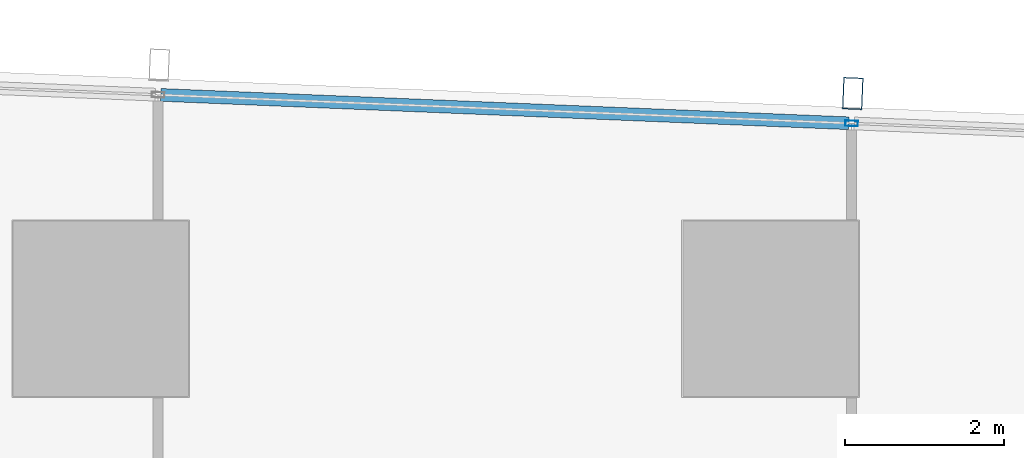
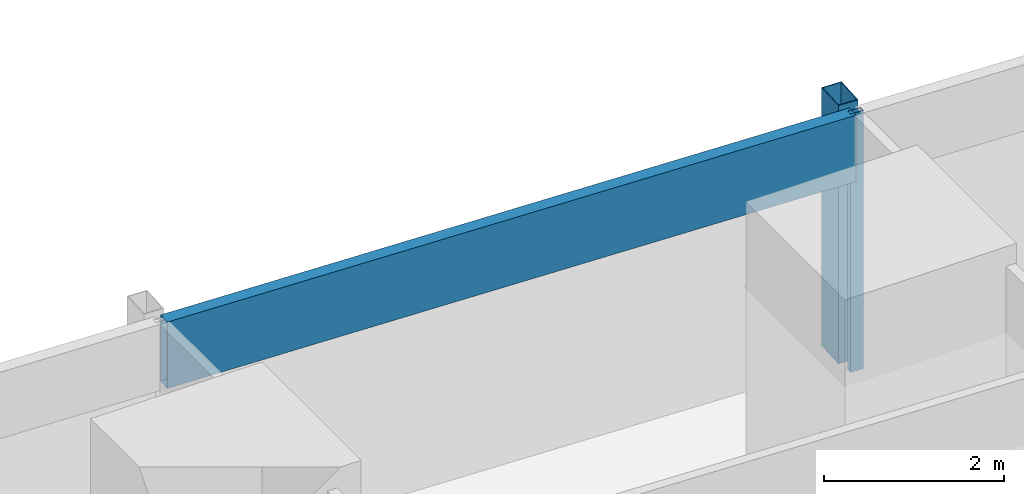
# One storey, part 22 of 44: 3 members, 1 element without a shape of its own.
"""IFC4 building model written with IfcOpenShell, lengths in metres."""

from ifc_helpers import new_model, si_unit, direction, frame, origin, origin_2d, place, context, subcontext, project, spatial, hollow_rectangle, extrude, material, material_profile, profile_set, type_object, element, aggregate, save


model = new_model("IFC4")

# Units and contexts
model_context = context("Model", 3, precision=1e-05, world=origin(), true_north=direction((0.0, 1.0)))
body_context = subcontext(model_context, "Body", "Model", "MODEL_VIEW")
ifc_project = project(units=[si_unit("LENGTHUNIT", "METRE"), si_unit("AREAUNIT", "SQUARE_METRE"), si_unit("VOLUMEUNIT", "CUBIC_METRE"), si_unit("PLANEANGLEUNIT", "RADIAN"), si_unit("MASSUNIT", "GRAM", prefix="KILO")], contexts=[model_context])

# Site, building, storey
site_placement = place(None, origin())
site = spatial("IfcSite", under=ifc_project, at=site_placement, CompositionType="ELEMENT")
building_placement = place(site_placement, origin())
building = spatial("IfcBuilding", under=site, at=building_placement, Name="Rekha Terrace Tower", CompositionType="ELEMENT")
storey_placement = place(building_placement, frame((0.0, 0.0, 66.64990234375)))
storey = spatial("IfcBuildingStorey", under=building, at=storey_placement, Name="L16", CompositionType="ELEMENT", Elevation=66.64990234375)

# Curtain wall, members
ifc_material_1 = material(Name="Aluminium framing", Category="aluminium")
curtain_wall_type = type_object("IfcCurtainWallType", Name="CW3 north unitised glazing", PredefinedType="USERDEFINED", material=ifc_material_1)
curtain_wall_placement = place(storey_placement, origin())
curtain_wall = element("IfcCurtainWall", 1, at=curtain_wall_placement, inside=storey, type_object=curtain_wall_type, Name="CW3 unitised curtain wall", ObjectType="UNITISED CURTAIN WALL", PredefinedType="USERDEFINED")
ifc_material_2 = material(Name="Steel S355 with fluorocarbon finish", Category="steel")
ifc_material_profile_1 = material_profile(ifc_material_2, hollow_rectangle(XDim=0.25, YDim=0.39990234375, WallThickness=0.012451171875, at=origin_2d()), Name="RHS400x250x12.5")
ifc_profile_set_1 = profile_set([ifc_material_profile_1], Name="Steel S355 with fluorocarbon finish")
member_type_1 = type_object("IfcMemberType", Name="BL1 facade blade RHS 400 x 250", PredefinedType="USERDEFINED", material=ifc_profile_set_1)
member_1_placement = place(storey_placement, frame((51.430419921875, 61.499267578125, 0.0), z_axis=(0.0, 0.0, 1.0), x_axis=(-0.99915196507, 0.041174636562, 0.0)))
member_1 = element("IfcMember", 2, at=member_1_placement, type_object=member_type_1, Name="Facade blade", ObjectType="FACADE BLADE", PredefinedType="USERDEFINED", context=body_context, shape_type="SweptSolid", body=[
    extrude(hollow_rectangle(XDim=0.25, YDim=0.39990234375, WallThickness=0.012451171875, at=origin_2d()), origin(), (0.0, 0.0, 1.0), 3.5),
])
ifc_material_3 = material(Name="Aluminium mullion section", Category="aluminium")
ifc_material_profile_2 = material_profile(ifc_material_3, hollow_rectangle(XDim=0.070068359375, YDim=0.159912109375, WallThickness=0.00390625, at=origin_2d()), Name="AL RHS 70x160")
ifc_profile_set_2 = profile_set([ifc_material_profile_2], Name="Aluminium mullion section")
member_type_2 = type_object("IfcMemberType", Name="CW3 mullion RHS 70 x 160", PredefinedType="MULLION", material=ifc_profile_set_2)
member_2_placement = place(storey_placement, frame((51.4150390625, 61.12451171875, 0.0), z_axis=(0.0, 0.0, 1.0), x_axis=(-0.041173846041, -0.999151997647, 0.0)))
member_2 = element("IfcMember", 3, at=member_2_placement, type_object=member_type_2, Name="CW3 mullion 3", PredefinedType="MULLION", context=body_context, shape_type="SweptSolid", body=[
    extrude(hollow_rectangle(XDim=0.070068359375, YDim=0.159912109375, WallThickness=0.00390625, at=origin_2d()), origin(), (0.0, 0.0, 1.0), 3.5),
])
ifc_material_4 = material(Name="Insulated aluminium spandrel box", Category="aluminium")
ifc_material_profile_3 = material_profile(ifc_material_4, hollow_rectangle(XDim=0.159912109375, YDim=0.89990234375, WallThickness=0.0029296875, at=origin_2d()), Name="AL SPANDREL BOX 160x900")
ifc_profile_set_3 = profile_set([ifc_material_profile_3], Name="Insulated aluminium spandrel box")
member_type_3 = type_object("IfcMemberType", Name="CW3 spandrel transom 160 x 900", PredefinedType="USERDEFINED", material=ifc_profile_set_3)
member_3_placement = place(storey_placement, frame((51.380126953125, 61.1259765625, 3.050048828125), z_axis=(-0.999152128669, 0.041170666459, 0.0), x_axis=(-0.041170666459, -0.999152128669, 0.0)))
member_3 = element("IfcMember", 4, at=member_3_placement, type_object=member_type_3, Name="CW3 spandrel transom 3", ObjectType="TRANSOM", PredefinedType="USERDEFINED", context=body_context, shape_type="SweptSolid", body=[
    extrude(hollow_rectangle(XDim=0.159912109375, YDim=0.89990234375, WallThickness=0.0029296875, at=origin_2d()), origin(), (0.0, 0.0, 1.0), 8.634033203125),
])
aggregate(curtain_wall, [member_2, member_3, member_1])

save(model, "model.ifc")
